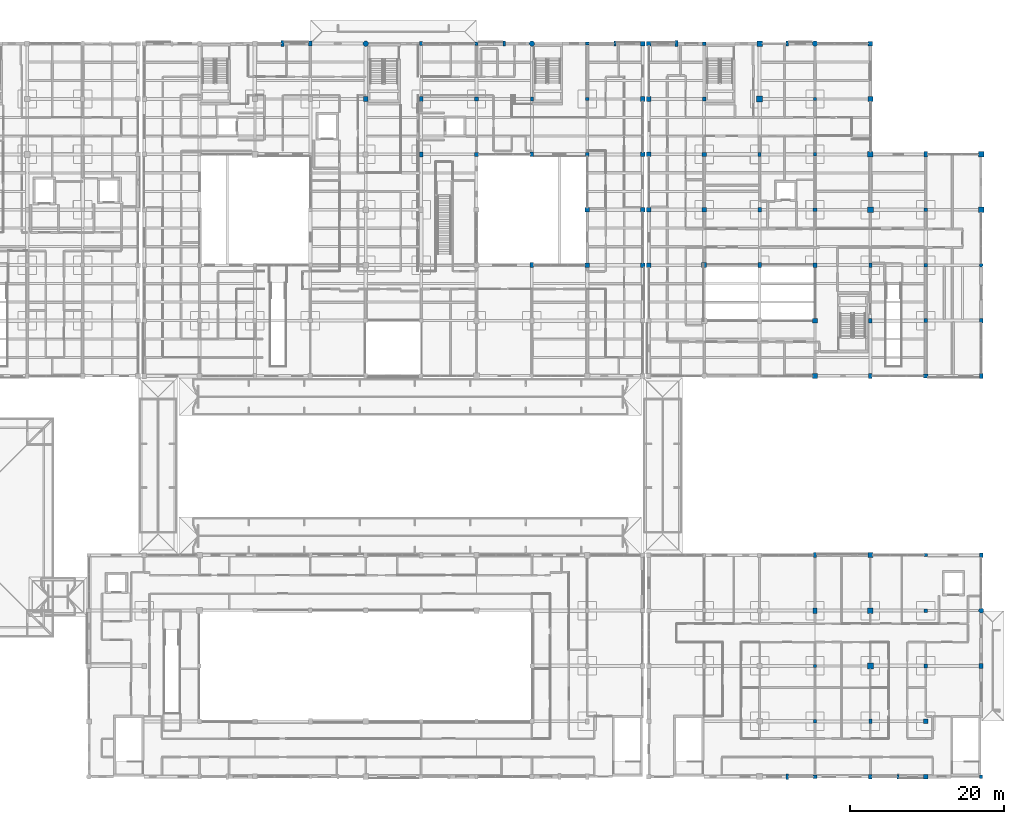
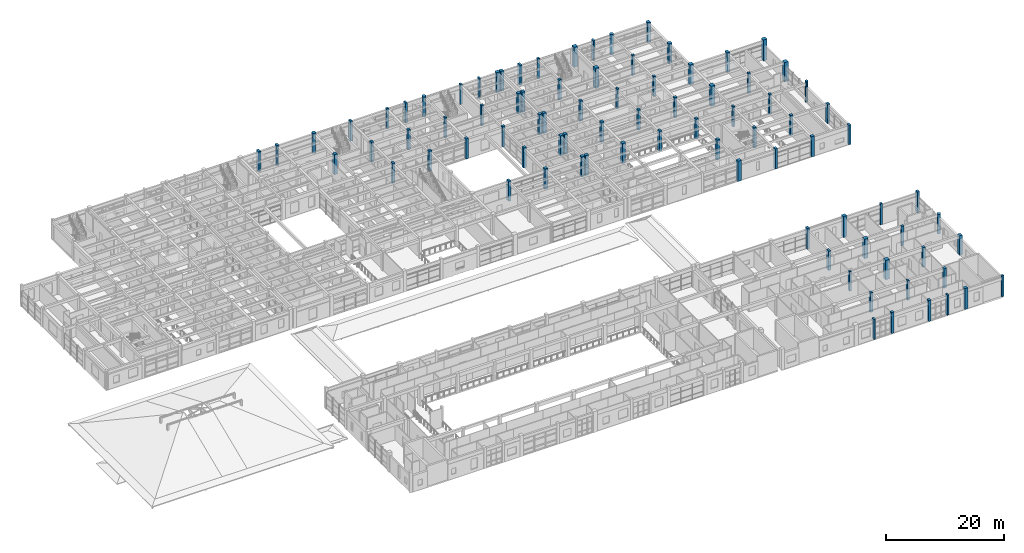
# One storey, part 4 of 110: 88 columns.
"""IFC4 building model written with IfcOpenShell, lengths in metres."""

from ifc_helpers import new_model, si_unit, direction, frame, origin, origin_2d, place, context, subcontext, project, spatial, rectangle, circle, extrude, material, material_profile, profile_set, type_object, element, save


model = new_model("IFC4")

# Units and contexts
model_context = context("Model", 3, precision=1e-05, world=origin(), true_north=direction((0.0, 1.0)))
body_context = subcontext(model_context, "Body", "Model", "MODEL_VIEW")
ifc_project = project(units=[si_unit("LENGTHUNIT", "METRE"), si_unit("AREAUNIT", "SQUARE_METRE"), si_unit("VOLUMEUNIT", "CUBIC_METRE"), si_unit("PLANEANGLEUNIT", "RADIAN"), si_unit("MASSUNIT", "GRAM", prefix="KILO")], contexts=[model_context])

# Site, building, storey
site_placement = place(None, origin())
site = spatial("IfcSite", under=ifc_project, at=site_placement, CompositionType="ELEMENT")
building_placement = place(site_placement, origin())
building = spatial("IfcBuilding", under=site, at=building_placement, Name="Steenspoor Specialist Clinic", CompositionType="ELEMENT")
storey_placement = place(building_placement, frame((0.0, 0.0, 4.800048828125)))
storey = spatial("IfcBuildingStorey", under=building, at=storey_placement, Name="L01", CompositionType="ELEMENT", Elevation=4.800048828125)

# Columns
ifc_material = material(Name="Concrete C40/50", Category="concrete")
ifc_material_profile_1 = material_profile(ifc_material, rectangle(XDim=0.39990234375, YDim=0.39990234375, at=origin_2d()), Name="RC-COL-400X400")
ifc_profile_set_1 = profile_set([ifc_material_profile_1], Name="Concrete C40/50")
column_type_1 = type_object("IfcColumnType", Name="COL-RC-400", PredefinedType="COLUMN", material=ifc_profile_set_1)
column_1_placement = place(storey_placement, frame((139.60009765625, 27.449951171875, 0.0), z_axis=(0.0, 0.0, 1.0), x_axis=(1.0, 0.0, 0.0)))
element("IfcColumn", 1, at=column_1_placement, inside=storey, type_object=column_type_1, Name="Column COL-L01-0129", PredefinedType="COLUMN", context=body_context, shape_type="SweptSolid", body=[
    extrude(rectangle(XDim=0.39990234375, YDim=0.39990234375, at=origin_2d()), origin(), (0.0, 0.0, 1.0), 4.050048828125),
])
column_2_placement = place(storey_placement, frame((154.0, 41.85009765625, 0.0), z_axis=(0.0, 0.0, 1.0), x_axis=(1.0, 0.0, 0.0)))
element("IfcColumn", 2, at=column_2_placement, inside=storey, type_object=column_type_1, Name="Column COL-L01-0153", PredefinedType="COLUMN", context=body_context, shape_type="SweptSolid", body=[
    extrude(rectangle(XDim=0.39990234375, YDim=0.39990234375, at=origin_2d()), origin(), (0.0, 0.0, 1.0), 4.35986328125),
])
for number, where, z_axis, x_axis, name in (
    (3, (110.0, 108.35009765625, 0.0), (0.0, 0.0, 1.0), (1.0, 0.0, 0.0), "Column COL-L01-0474"),
    (4, (139.60009765625, 101.14990234375, 0.0), (0.0, 0.0, 1.0), (1.0, 0.0, 0.0), "Column COL-L01-0770"),
    (5, (154.0, 86.75, 0.0), (0.0, 0.0, 1.0), (1.0, 0.0, 0.0), "Column COL-L01-0819"),
):
    element("IfcColumn", number, at=place(storey_placement, frame(where, z_axis=z_axis, x_axis=x_axis)), inside=storey, type_object=column_type_1, Name=name, PredefinedType="COLUMN", context=body_context, shape_type="SweptSolid", body=[
        extrude(rectangle(XDim=0.39990234375, YDim=0.39990234375, at=origin_2d()), origin(), (0.0, 0.0, 1.0), 4.199951171875),
    ])
column_3_placement = place(storey_placement, frame((161.199951171875, 13.050048828125, 0.0), z_axis=(0.0, 0.0, 1.0), x_axis=(1.0, 0.0, 0.0)))
element("IfcColumn", 6, at=column_3_placement, inside=storey, type_object=column_type_1, Name="Column COL-L01-0835", PredefinedType="COLUMN", context=body_context, shape_type="SweptSolid", body=[
    extrude(rectangle(XDim=0.39990234375, YDim=0.39990234375, at=origin_2d()), origin(), (0.0, 0.0, 1.0), 4.35986328125),
])
ifc_material_profile_2 = material_profile(ifc_material, rectangle(XDim=0.39990234375, YDim=0.550048828125, at=origin_2d()), Name="RC-COL-400X550")
ifc_profile_set_2 = profile_set([ifc_material_profile_2], Name="Concrete C40/50")
column_type_2 = type_object("IfcColumnType", Name="COL-RC-400X550", PredefinedType="COLUMN", material=ifc_profile_set_2)
column_4_placement = place(storey_placement, frame((146.800048828125, 20.25, 0.0), z_axis=(0.0, 0.0, 1.0), x_axis=(1.0, 0.0, 0.0)))
element("IfcColumn", 7, at=column_4_placement, inside=storey, type_object=column_type_2, Name="Column COL-L01-0137", PredefinedType="COLUMN", context=body_context, shape_type="SweptSolid", body=[
    extrude(rectangle(XDim=0.39990234375, YDim=0.550048828125, at=origin_2d()), origin(), (0.0, 0.0, 1.0), 4.050048828125),
])
for number, where, z_axis, x_axis, name in (
    (8, (88.39990234375, 108.35009765625, 0.0), (0.0, 0.0, 1.0), (1.0, 0.0, 0.0), "Column COL-L01-0375"),
    (9, (102.800048828125, 101.14990234375, 0.0), (0.0, 0.0, 1.0), (1.0, 0.0, 0.0), "Column COL-L01-0435"),
    (10, (132.39990234375, 93.949951171875, 0.0), (0.0, 0.0, 1.0), (1.0, 0.0, 0.0), "Column COL-L01-0731"),
    (11, (146.800048828125, 79.550048828125, 0.0), (0.0, 0.0, 1.0), (1.0, 0.0, 0.0), "Column COL-L01-0787"),
):
    element("IfcColumn", number, at=place(storey_placement, frame(where, z_axis=z_axis, x_axis=x_axis)), inside=storey, type_object=column_type_2, Name=name, PredefinedType="COLUMN", context=body_context, shape_type="SweptSolid", body=[
        extrude(rectangle(XDim=0.39990234375, YDim=0.550048828125, at=origin_2d()), origin(), (0.0, 0.0, 1.0), 4.199951171875),
    ])
ifc_material_profile_3 = material_profile(ifc_material, rectangle(XDim=0.449951171875, YDim=0.449951171875, at=origin_2d()), Name="RC-COL-450X450")
ifc_profile_set_3 = profile_set([ifc_material_profile_3], Name="Concrete C40/50")
column_type_3 = type_object("IfcColumnType", Name="COL-RC-450", PredefinedType="COLUMN", material=ifc_profile_set_3)
for number, where, z_axis, x_axis, name in (
    (12, (139.60009765625, 20.25, 0.0), (0.0, 0.0, 1.0), (1.0, 0.0, 0.0), "Column COL-L01-0127"),
    (13, (154.0, 34.64990234375, 0.0), (0.0, 0.0, 1.0), (1.0, 0.0, 0.0), "Column COL-L01-0151"),
):
    element("IfcColumn", number, at=place(storey_placement, frame(where, z_axis=z_axis, x_axis=x_axis)), inside=storey, type_object=column_type_3, Name=name, PredefinedType="COLUMN", context=body_context, shape_type="SweptSolid", body=[
        extrude(rectangle(XDim=0.449951171875, YDim=0.449951171875, at=origin_2d()), origin(), (0.0, 0.0, 1.0), 4.050048828125),
    ])
for number, where, z_axis, x_axis, name in (
    (14, (95.60009765625, 108.35009765625, 0.0), (0.0, 0.0, 1.0), (1.0, 0.0, 0.0), "Column COL-L01-0412"),
    (15, (110.0, 101.14990234375, 0.0), (0.0, 0.0, 1.0), (1.0, 0.0, 0.0), "Column COL-L01-0468"),
    (16, (125.199951171875, 108.35009765625, 0.0), (0.0, 0.0, 1.0), (1.0, 0.0, 0.0), "Column COL-L01-0707"),
    (17, (139.60009765625, 93.949951171875, 0.0), (0.0, 0.0, 1.0), (1.0, 0.0, 0.0), "Column COL-L01-0765"),
    (18, (154.0, 79.550048828125, 0.0), (0.0, 0.0, 1.0), (1.0, 0.0, 0.0), "Column COL-L01-0816"),
):
    element("IfcColumn", number, at=place(storey_placement, frame(where, z_axis=z_axis, x_axis=x_axis)), inside=storey, type_object=column_type_3, Name=name, PredefinedType="COLUMN", context=body_context, shape_type="SweptSolid", body=[
        extrude(rectangle(XDim=0.449951171875, YDim=0.449951171875, at=origin_2d()), origin(), (0.0, 0.0, 1.0), 4.199951171875),
    ])
ifc_material_profile_4 = material_profile(ifc_material, rectangle(XDim=0.449951171875, YDim=0.60009765625, at=origin_2d()), Name="RC-COL-450X600")
ifc_profile_set_4 = profile_set([ifc_material_profile_4], Name="Concrete C40/50")
column_type_4 = type_object("IfcColumnType", Name="COL-RC-450X600", PredefinedType="COLUMN", material=ifc_profile_set_4)
for number, where, z_axis, x_axis, name in (
    (19, (146.800048828125, 13.050048828125, 0.0), (0.0, 0.0, 1.0), (1.0, 0.0, 0.0), "Column COL-L01-0135"),
    (20, (161.199951171875, 41.85009765625, 0.0), (0.0, 0.0, 1.0), (1.0, 0.0, 0.0), "Column COL-L01-0159"),
):
    element("IfcColumn", number, at=place(storey_placement, frame(where, z_axis=z_axis, x_axis=x_axis)), inside=storey, type_object=column_type_4, Name=name, PredefinedType="COLUMN", context=body_context, shape_type="SweptSolid", body=[
        extrude(rectangle(XDim=0.449951171875, YDim=0.60009765625, at=origin_2d()), origin(), (0.0, 0.0, 1.0), 4.35986328125),
    ])
for number, where, z_axis, x_axis, name in (
    (21, (88.39990234375, 101.14990234375, 0.0), (0.0, 0.0, 1.0), (1.0, 0.0, 0.0), "Column COL-L01-0369"),
    (22, (102.800048828125, 93.949951171875, 0.0), (0.0, 0.0, 1.0), (1.0, 0.0, 0.0), "Column COL-L01-0429"),
    (23, (132.39990234375, 86.75, 0.0), (0.0, 0.0, 1.0), (1.0, 0.0, 0.0), "Column COL-L01-0726"),
    (24, (146.800048828125, 72.35009765625, 0.0), (0.0, 0.0, 1.0), (1.0, 0.0, 0.0), "Column COL-L01-0782"),
):
    element("IfcColumn", number, at=place(storey_placement, frame(where, z_axis=z_axis, x_axis=x_axis)), inside=storey, type_object=column_type_4, Name=name, PredefinedType="COLUMN", context=body_context, shape_type="SweptSolid", body=[
        extrude(rectangle(XDim=0.449951171875, YDim=0.60009765625, at=origin_2d()), origin(), (0.0, 0.0, 1.0), 4.199951171875),
    ])
column_5_placement = place(storey_placement, frame((161.199951171875, 72.35009765625, 0.0), z_axis=(0.0, 0.0, 1.0), x_axis=(1.0, 0.0, 0.0)))
element("IfcColumn", 25, at=column_5_placement, inside=storey, type_object=column_type_4, Name="Column COL-L01-0827", PredefinedType="COLUMN", context=body_context, shape_type="SweptSolid", body=[
    extrude(rectangle(XDim=0.449951171875, YDim=0.60009765625, at=origin_2d()), origin(), (0.0, 0.0, 1.0), 4.050048828125),
])
ifc_material_profile_5 = material_profile(ifc_material, rectangle(XDim=0.449951171875, YDim=0.64990234375, at=origin_2d()), Name="RC-COL-450X650")
ifc_profile_set_5 = profile_set([ifc_material_profile_5], Name="Concrete C40/50")
column_type_5 = type_object("IfcColumnType", Name="COL-RC-450X650", PredefinedType="COLUMN", material=ifc_profile_set_5)
column_6_placement = place(storey_placement, frame((139.60009765625, 41.85009765625, 0.0), z_axis=(0.0, 0.0, 1.0), x_axis=(1.0, 0.0, 0.0)))
element("IfcColumn", 26, at=column_6_placement, inside=storey, type_object=column_type_5, Name="Column COL-L01-0133", PredefinedType="COLUMN", context=body_context, shape_type="SweptSolid", body=[
    extrude(rectangle(XDim=0.449951171875, YDim=0.64990234375, at=origin_2d()), origin(), (0.0, 0.0, 1.0), 4.35986328125),
])
for number, where, z_axis, x_axis, name in (
    (27, (74.0, 108.35009765625, 0.0), (0.0, 0.0, 1.0), (1.0, 0.0, 0.0), "Column COL-L01-0301"),
    (28, (88.39990234375, 93.949951171875, 0.0), (0.0, 0.0, 1.0), (1.0, 0.0, 0.0), "Column COL-L01-0363"),
    (29, (102.800048828125, 79.550048828125, 0.0), (0.0, 0.0, 1.0), (1.0, 0.0, 0.0), "Column COL-L01-0425"),
    (30, (132.39990234375, 79.550048828125, 0.0), (0.0, 0.0, 1.0), (1.0, 0.0, 0.0), "Column COL-L01-0721"),
    (31, (146.800048828125, 65.14990234375, 0.0), (0.0, 0.0, 1.0), (1.0, 0.0, 0.0), "Column COL-L01-0778"),
):
    element("IfcColumn", number, at=place(storey_placement, frame(where, z_axis=z_axis, x_axis=x_axis)), inside=storey, type_object=column_type_5, Name=name, PredefinedType="COLUMN", context=body_context, shape_type="SweptSolid", body=[
        extrude(rectangle(XDim=0.449951171875, YDim=0.64990234375, at=origin_2d()), origin(), (0.0, 0.0, 1.0), 4.199951171875),
    ])
column_7_placement = place(storey_placement, frame((161.199951171875, 65.14990234375, 0.0), z_axis=(0.0, 0.0, 1.0), x_axis=(1.0, 0.0, 0.0)))
element("IfcColumn", 32, at=column_7_placement, inside=storey, type_object=column_type_5, Name="Column COL-L01-0825", PredefinedType="COLUMN", context=body_context, shape_type="SweptSolid", body=[
    extrude(rectangle(XDim=0.449951171875, YDim=0.64990234375, at=origin_2d()), origin(), (0.0, 0.0, 1.0), 4.050048828125),
])
ifc_material_profile_6 = material_profile(ifc_material, rectangle(XDim=0.5, YDim=0.5, at=origin_2d()), Name="RC-COL-500X500")
ifc_profile_set_6 = profile_set([ifc_material_profile_6], Name="Concrete C40/50")
column_type_6 = type_object("IfcColumnType", Name="COL-RC-500", PredefinedType="COLUMN", material=ifc_profile_set_6)
column_8_placement = place(storey_placement, frame((139.60009765625, 13.050048828125, 0.0), z_axis=(0.0, 0.0, 1.0), x_axis=(1.0, 0.0, 0.0)))
element("IfcColumn", 33, at=column_8_placement, inside=storey, type_object=column_type_6, Name="Column COL-L01-0125", PredefinedType="COLUMN", context=body_context, shape_type="SweptSolid", body=[
    extrude(rectangle(XDim=0.5, YDim=0.5, at=origin_2d()), origin(), (0.0, 0.0, 1.0), 4.35986328125),
])
column_9_placement = place(storey_placement, frame((154.0, 27.449951171875, 0.0), z_axis=(0.0, 0.0, 1.0), x_axis=(1.0, 0.0, 0.0)))
element("IfcColumn", 34, at=column_9_placement, inside=storey, type_object=column_type_6, Name="Column COL-L01-0149", PredefinedType="COLUMN", context=body_context, shape_type="SweptSolid", body=[
    extrude(rectangle(XDim=0.5, YDim=0.5, at=origin_2d()), origin(), (0.0, 0.0, 1.0), 4.050048828125),
])
for number, where, z_axis, x_axis, name in (
    (35, (95.60009765625, 101.14990234375, 0.0), (0.0, 0.0, 1.0), (1.0, 0.0, 0.0), "Column COL-L01-0406"),
    (36, (110.0, 93.949951171875, 0.0), (0.0, 0.0, 1.0), (1.0, 0.0, 0.0), "Column COL-L01-0462"),
    (37, (125.199951171875, 101.14990234375, 0.0), (0.0, 0.0, 1.0), (1.0, 0.0, 0.0), "Column COL-L01-0702"),
    (38, (139.60009765625, 86.75, 0.0), (0.0, 0.0, 1.0), (1.0, 0.0, 0.0), "Column COL-L01-0760"),
    (39, (154.0, 72.35009765625, 0.0), (0.0, 0.0, 1.0), (1.0, 0.0, 0.0), "Column COL-L01-0813"),
):
    element("IfcColumn", number, at=place(storey_placement, frame(where, z_axis=z_axis, x_axis=x_axis)), inside=storey, type_object=column_type_6, Name=name, PredefinedType="COLUMN", context=body_context, shape_type="SweptSolid", body=[
        extrude(rectangle(XDim=0.5, YDim=0.5, at=origin_2d()), origin(), (0.0, 0.0, 1.0), 4.199951171875),
    ])
ifc_material_profile_7 = material_profile(ifc_material, rectangle(XDim=0.5, YDim=0.699951171875, at=origin_2d()), Name="RC-COL-500X700")
ifc_profile_set_7 = profile_set([ifc_material_profile_7], Name="Concrete C40/50")
column_type_7 = type_object("IfcColumnType", Name="COL-RC-500X700", PredefinedType="COLUMN", material=ifc_profile_set_7)
for number, where, z_axis, x_axis, name in (
    (40, (139.60009765625, 34.64990234375, 0.0), (0.0, 0.0, 1.0), (1.0, 0.0, 0.0), "Column COL-L01-0131"),
    (41, (161.199951171875, 27.449951171875, 0.0), (0.0, 0.0, 1.0), (1.0, 0.0, 0.0), "Column COL-L01-0155"),
):
    element("IfcColumn", number, at=place(storey_placement, frame(where, z_axis=z_axis, x_axis=x_axis)), inside=storey, type_object=column_type_7, Name=name, PredefinedType="COLUMN", context=body_context, shape_type="SweptSolid", body=[
        extrude(rectangle(XDim=0.5, YDim=0.699951171875, at=origin_2d()), origin(), (0.0, 0.0, 1.0), 4.050048828125),
    ])
column_10_placement = place(storey_placement, frame((154.0, 93.949951171875, 0.0), z_axis=(0.0, 0.0, 1.0), x_axis=(1.0, 0.0, 0.0)))
element("IfcColumn", 42, at=column_10_placement, inside=storey, type_object=column_type_7, Name="Column COL-L01-0822", PredefinedType="COLUMN", context=body_context, shape_type="SweptSolid", body=[
    extrude(rectangle(XDim=0.5, YDim=0.699951171875, at=origin_2d()), origin(), (0.0, 0.0, 1.0), 4.199951171875),
])
ifc_material_profile_8 = material_profile(ifc_material, rectangle(XDim=0.550048828125, YDim=0.550048828125, at=origin_2d()), Name="RC-COL-550X550")
ifc_profile_set_8 = profile_set([ifc_material_profile_8], Name="Concrete C40/50")
column_type_8 = type_object("IfcColumnType", Name="COL-RC-550", PredefinedType="COLUMN", material=ifc_profile_set_8)
column_11_placement = place(storey_placement, frame((154.0, 20.25, 0.0), z_axis=(0.0, 0.0, 1.0), x_axis=(1.0, 0.0, 0.0)))
element("IfcColumn", 43, at=column_11_placement, inside=storey, type_object=column_type_8, Name="Column COL-L01-0147", PredefinedType="COLUMN", context=body_context, shape_type="SweptSolid", body=[
    extrude(rectangle(XDim=0.550048828125, YDim=0.550048828125, at=origin_2d()), origin(), (0.0, 0.0, 1.0), 4.050048828125),
])
for number, where, z_axis, x_axis, name in (
    (44, (95.60009765625, 93.949951171875, 0.0), (0.0, 0.0, 1.0), (1.0, 0.0, 0.0), "Column COL-L01-0400"),
    (45, (110.0, 86.75, 0.0), (0.0, 0.0, 1.0), (1.0, 0.0, 0.0), "Column COL-L01-0458"),
    (46, (125.199951171875, 93.949951171875, 0.0), (0.0, 0.0, 1.0), (1.0, 0.0, 0.0), "Column COL-L01-0697"),
    (47, (139.60009765625, 79.550048828125, 0.0), (0.0, 0.0, 1.0), (1.0, 0.0, 0.0), "Column COL-L01-0755"),
    (48, (154.0, 65.14990234375, 0.0), (0.0, 0.0, 1.0), (1.0, 0.0, 0.0), "Column COL-L01-0810"),
):
    element("IfcColumn", number, at=place(storey_placement, frame(where, z_axis=z_axis, x_axis=x_axis)), inside=storey, type_object=column_type_8, Name=name, PredefinedType="COLUMN", context=body_context, shape_type="SweptSolid", body=[
        extrude(rectangle(XDim=0.550048828125, YDim=0.550048828125, at=origin_2d()), origin(), (0.0, 0.0, 1.0), 4.199951171875),
    ])
ifc_material_profile_9 = material_profile(ifc_material, rectangle(XDim=0.60009765625, YDim=0.60009765625, at=origin_2d()), Name="RC-COL-600X600")
ifc_profile_set_9 = profile_set([ifc_material_profile_9], Name="Concrete C40/50")
column_type_9 = type_object("IfcColumnType", Name="COL-RC-600", PredefinedType="COLUMN", material=ifc_profile_set_9)
column_12_placement = place(storey_placement, frame((154.0, 13.050048828125, 0.0), z_axis=(0.0, 0.0, 1.0), x_axis=(1.0, 0.0, 0.0)))
element("IfcColumn", 49, at=column_12_placement, inside=storey, type_object=column_type_9, Name="Column COL-L01-0145", PredefinedType="COLUMN", context=body_context, shape_type="SweptSolid", body=[
    extrude(rectangle(XDim=0.60009765625, YDim=0.60009765625, at=origin_2d()), origin(), (0.0, 0.0, 1.0), 4.35986328125),
])
for number, where, z_axis, x_axis, name in (
    (50, (81.199951171875, 101.14990234375, 0.0), (0.0, 0.0, 1.0), (1.0, 0.0, 0.0), "Column COL-L01-0332"),
    (51, (110.0, 79.550048828125, 0.0), (0.0, 0.0, 1.0), (1.0, 0.0, 0.0), "Column COL-L01-0454"),
    (52, (117.199951171875, 79.550048828125, 0.0), (0.0, 0.0, 1.0), (1.0, 0.0, 0.0), "Column COL-L01-0487"),
    (53, (117.199951171875, 86.75, 0.0), (0.0, 0.0, 1.0), (1.0, 0.0, 0.0), "Column COL-L01-0491"),
    (54, (117.199951171875, 93.949951171875, 0.0), (0.0, 0.0, 1.0), (1.0, 0.0, 0.0), "Column COL-L01-0495"),
    (55, (117.199951171875, 101.14990234375, 0.0), (0.0, 0.0, 1.0), (1.0, 0.0, 0.0), "Column COL-L01-0499"),
    (56, (117.199951171875, 108.35009765625, 0.0), (0.0, 0.0, 1.0), (1.0, 0.0, 0.0), "Column COL-L01-0503"),
    (57, (118.0, 79.550048828125, 0.0), (0.0, 0.0, 1.0), (1.0, 0.0, 0.0), "Column COL-L01-0653"),
    (58, (118.0, 86.75, 0.0), (0.0, 0.0, 1.0), (1.0, 0.0, 0.0), "Column COL-L01-0658"),
    (59, (118.0, 93.949951171875, 0.0), (0.0, 0.0, 1.0), (1.0, 0.0, 0.0), "Column COL-L01-0663"),
    (60, (118.0, 101.14990234375, 0.0), (0.0, 0.0, 1.0), (1.0, 0.0, 0.0), "Column COL-L01-0668"),
    (61, (118.0, 108.35009765625, 0.0), (0.0, 0.0, 1.0), (1.0, 0.0, 0.0), "Column COL-L01-0673"),
    (62, (125.199951171875, 86.75, 0.0), (0.0, 0.0, 1.0), (1.0, 0.0, 0.0), "Column COL-L01-0692"),
    (63, (139.60009765625, 72.35009765625, 0.0), (0.0, 0.0, 1.0), (1.0, 0.0, 0.0), "Column COL-L01-0750"),
    (64, (146.800048828125, 108.35009765625, 0.0), (0.0, 0.0, 1.0), (1.0, 0.0, 0.0), "Column COL-L01-0806"),
):
    element("IfcColumn", number, at=place(storey_placement, frame(where, z_axis=z_axis, x_axis=x_axis)), inside=storey, type_object=column_type_9, Name=name, PredefinedType="COLUMN", context=body_context, shape_type="SweptSolid", body=[
        extrude(rectangle(XDim=0.60009765625, YDim=0.60009765625, at=origin_2d()), origin(), (0.0, 0.0, 1.0), 4.199951171875),
    ])
ifc_material_profile_10 = material_profile(ifc_material, rectangle(XDim=0.64990234375, YDim=0.64990234375, at=origin_2d()), Name="RC-COL-650X650")
ifc_profile_set_10 = profile_set([ifc_material_profile_10], Name="Concrete C40/50")
column_type_10 = type_object("IfcColumnType", Name="COL-RC-650", PredefinedType="COLUMN", material=ifc_profile_set_10)
column_13_placement = place(storey_placement, frame((146.800048828125, 41.85009765625, 0.0), z_axis=(0.0, 0.0, 1.0), x_axis=(1.0, 0.0, 0.0)))
element("IfcColumn", 65, at=column_13_placement, inside=storey, type_object=column_type_10, Name="Column COL-L01-0143", PredefinedType="COLUMN", context=body_context, shape_type="SweptSolid", body=[
    extrude(rectangle(XDim=0.64990234375, YDim=0.64990234375, at=origin_2d()), origin(), (0.0, 0.0, 1.0), 4.35986328125),
])
for number, where, z_axis, x_axis, name in (
    (66, (125.199951171875, 79.550048828125, 0.0), (0.0, 0.0, 1.0), (1.0, 0.0, 0.0), "Column COL-L01-0687"),
    (67, (139.60009765625, 65.14990234375, 0.0), (0.0, 0.0, 1.0), (1.0, 0.0, 0.0), "Column COL-L01-0746"),
    (68, (146.800048828125, 101.14990234375, 0.0), (0.0, 0.0, 1.0), (1.0, 0.0, 0.0), "Column COL-L01-0802"),
):
    element("IfcColumn", number, at=place(storey_placement, frame(where, z_axis=z_axis, x_axis=x_axis)), inside=storey, type_object=column_type_10, Name=name, PredefinedType="COLUMN", context=body_context, shape_type="SweptSolid", body=[
        extrude(rectangle(XDim=0.64990234375, YDim=0.64990234375, at=origin_2d()), origin(), (0.0, 0.0, 1.0), 4.199951171875),
    ])
ifc_material_profile_11 = material_profile(ifc_material, rectangle(XDim=0.699951171875, YDim=0.699951171875, at=origin_2d()), Name="RC-COL-700X700")
ifc_profile_set_11 = profile_set([ifc_material_profile_11], Name="Concrete C40/50")
column_type_11 = type_object("IfcColumnType", Name="COL-RC-700", PredefinedType="COLUMN", material=ifc_profile_set_11)
column_14_placement = place(storey_placement, frame((146.800048828125, 34.64990234375, 0.0), z_axis=(0.0, 0.0, 1.0), x_axis=(1.0, 0.0, 0.0)))
element("IfcColumn", 69, at=column_14_placement, inside=storey, type_object=column_type_11, Name="Column COL-L01-0141", PredefinedType="COLUMN", context=body_context, shape_type="SweptSolid", body=[
    extrude(rectangle(XDim=0.699951171875, YDim=0.699951171875, at=origin_2d()), origin(), (0.0, 0.0, 1.0), 4.050048828125),
])
for number, where, z_axis, x_axis, name in (
    (70, (132.39990234375, 108.35009765625, 0.0), (0.0, 0.0, 1.0), (1.0, 0.0, 0.0), "Column COL-L01-0741"),
    (71, (146.800048828125, 93.949951171875, 0.0), (0.0, 0.0, 1.0), (1.0, 0.0, 0.0), "Column COL-L01-0797"),
):
    element("IfcColumn", number, at=place(storey_placement, frame(where, z_axis=z_axis, x_axis=x_axis)), inside=storey, type_object=column_type_11, Name=name, PredefinedType="COLUMN", context=body_context, shape_type="SweptSolid", body=[
        extrude(rectangle(XDim=0.699951171875, YDim=0.699951171875, at=origin_2d()), origin(), (0.0, 0.0, 1.0), 4.199951171875),
    ])
column_15_placement = place(storey_placement, frame((161.199951171875, 93.949951171875, 0.0), z_axis=(0.0, 0.0, 1.0), x_axis=(1.0, 0.0, 0.0)))
element("IfcColumn", 72, at=column_15_placement, inside=storey, type_object=column_type_11, Name="Column COL-L01-0833", PredefinedType="COLUMN", context=body_context, shape_type="SweptSolid", body=[
    extrude(rectangle(XDim=0.699951171875, YDim=0.699951171875, at=origin_2d()), origin(), (0.0, 0.0, 1.0), 4.35986328125),
])
ifc_material_profile_12 = material_profile(ifc_material, rectangle(XDim=0.75, YDim=0.75, at=origin_2d()), Name="RC-COL-750X750")
ifc_profile_set_12 = profile_set([ifc_material_profile_12], Name="Concrete C40/50")
column_type_12 = type_object("IfcColumnType", Name="COL-RC-750", PredefinedType="COLUMN", material=ifc_profile_set_12)
column_16_placement = place(storey_placement, frame((146.800048828125, 27.449951171875, 0.0), z_axis=(0.0, 0.0, 1.0), x_axis=(1.0, 0.0, 0.0)))
element("IfcColumn", 73, at=column_16_placement, inside=storey, type_object=column_type_12, Name="Column COL-L01-0139", PredefinedType="COLUMN", context=body_context, shape_type="SweptSolid", body=[
    extrude(rectangle(XDim=0.75, YDim=0.75, at=origin_2d()), origin(), (0.0, 0.0, 1.0), 4.050048828125),
])
for number, where, z_axis, x_axis, name in (
    (74, (132.39990234375, 101.14990234375, 0.0), (0.0, 0.0, 1.0), (1.0, 0.0, 0.0), "Column COL-L01-0736"),
    (75, (146.800048828125, 86.75, 0.0), (0.0, 0.0, 1.0), (1.0, 0.0, 0.0), "Column COL-L01-0792"),
):
    element("IfcColumn", number, at=place(storey_placement, frame(where, z_axis=z_axis, x_axis=x_axis)), inside=storey, type_object=column_type_12, Name=name, PredefinedType="COLUMN", context=body_context, shape_type="SweptSolid", body=[
        extrude(rectangle(XDim=0.75, YDim=0.75, at=origin_2d()), origin(), (0.0, 0.0, 1.0), 4.199951171875),
    ])
column_17_placement = place(storey_placement, frame((161.199951171875, 86.75, 0.0), z_axis=(0.0, 0.0, 1.0), x_axis=(1.0, 0.0, 0.0)))
element("IfcColumn", 76, at=column_17_placement, inside=storey, type_object=column_type_12, Name="Column COL-L01-0831", PredefinedType="COLUMN", context=body_context, shape_type="SweptSolid", body=[
    extrude(rectangle(XDim=0.75, YDim=0.75, at=origin_2d()), origin(), (0.0, 0.0, 1.0), 4.050048828125),
])
ifc_material_profile_13 = material_profile(ifc_material, circle(Radius=0.25, at=origin_2d()), Name="RC-COL-D500")
ifc_profile_set_13 = profile_set([ifc_material_profile_13], Name="Concrete C40/50")
column_type_13 = type_object("IfcColumnType", Name="COL-RC-D500", PredefinedType="COLUMN", material=ifc_profile_set_13)
column_18_placement = place(storey_placement, frame((161.199951171875, 79.550048828125, 0.0), z_axis=(0.0, 0.0, 1.0), x_axis=(1.0, 0.0, 0.0)))
element("IfcColumn", 77, at=column_18_placement, inside=storey, type_object=column_type_13, Name="Column COL-L01-0829", PredefinedType="COLUMN", context=body_context, shape_type="SweptSolid", body=[
    extrude(circle(Radius=0.25, at=origin_2d()), origin(), (0.0, 0.0, 1.0), 4.35986328125),
])
ifc_material_profile_14 = material_profile(ifc_material, circle(Radius=0.324951171875, at=origin_2d()), Name="RC-COL-D650")
ifc_profile_set_14 = profile_set([ifc_material_profile_14], Name="Concrete C40/50")
column_type_14 = type_object("IfcColumnType", Name="COL-RC-D650", PredefinedType="COLUMN", material=ifc_profile_set_14)
column_19_placement = place(storey_placement, frame((161.199951171875, 34.64990234375, 0.0), z_axis=(0.0, 0.0, 1.0), x_axis=(1.0, 0.0, 0.0)))
element("IfcColumn", 78, at=column_19_placement, inside=storey, type_object=column_type_14, Name="Column COL-L01-0157", PredefinedType="COLUMN", context=body_context, shape_type="SweptSolid", body=[
    extrude(circle(Radius=0.324951171875, at=origin_2d()), origin(), (0.0, 0.0, 1.0), 4.050048828125),
])
ifc_material_profile_15 = material_profile(ifc_material, circle(Radius=0.35009765625, at=origin_2d()), Name="RC-COL-D700")
ifc_profile_set_15 = profile_set([ifc_material_profile_15], Name="Concrete C40/50")
column_type_15 = type_object("IfcColumnType", Name="COL-RC-D700", PredefinedType="COLUMN", material=ifc_profile_set_15)
for number, where, z_axis, x_axis, name in (
    (79, (81.199951171875, 108.35009765625, 0.0), (0.0, 0.0, 1.0), (1.0, 0.0, 0.0), "Column COL-L01-0338"),
    (80, (102.800048828125, 108.35009765625, 0.0), (0.0, 0.0, 1.0), (1.0, 0.0, 0.0), "Column COL-L01-0441"),
    (81, (139.60009765625, 108.35009765625, 0.0), (0.0, 0.0, 1.0), (1.0, 0.0, 0.0), "Column COL-L01-0774"),
):
    element("IfcColumn", number, at=place(storey_placement, frame(where, z_axis=z_axis, x_axis=x_axis)), inside=storey, type_object=column_type_15, Name=name, PredefinedType="COLUMN", context=body_context, shape_type="SweptSolid", body=[
        extrude(circle(Radius=0.35009765625, at=origin_2d()), origin(), (0.0, 0.0, 1.0), 4.199951171875),
    ])
ifc_material_profile_16 = material_profile(ifc_material, rectangle(XDim=0.300048828125, YDim=0.6201171875, at=origin_2d()), Name="RC-PIL-300X620")
ifc_profile_set_16 = profile_set([ifc_material_profile_16], Name="Concrete C40/50")
column_type_16 = type_object("IfcColumnType", Name="PIL-RC-300X620", PredefinedType="PILASTER", material=ifc_profile_set_16)
for number, where, z_axis, x_axis, name in (
    (82, (150.39990234375, 13.050048828125, 0.0), (0.0, 0.0, 1.0), (1.0, 0.0, 0.0), "Brick Pilaster PIL-L01-012"),
    (83, (113.60009765625, 108.35009765625, 0.0), (0.0, 0.0, 1.0), (1.0, 0.0, 0.0), "Brick Pilaster PIL-L01-030"),
):
    element("IfcColumn", number, at=place(storey_placement, frame(where, z_axis=z_axis, x_axis=x_axis)), inside=storey, type_object=column_type_16, Name=name, PredefinedType="PILASTER", context=body_context, shape_type="SweptSolid", body=[
        extrude(rectangle(XDim=0.300048828125, YDim=0.6201171875, at=origin_2d()), origin(), (0.0, 0.0, 1.0), 4.199951171875),
    ])
ifc_material_profile_17 = material_profile(ifc_material, rectangle(XDim=0.340087890625, YDim=0.679931640625, at=origin_2d()), Name="RC-PIL-340X680")
ifc_profile_set_17 = profile_set([ifc_material_profile_17], Name="Concrete C40/50")
column_type_17 = type_object("IfcColumnType", Name="PIL-RC-340X680", PredefinedType="PILASTER", material=ifc_profile_set_17)
for number, where, z_axis, x_axis, name in (
    (84, (136.0, 13.050048828125, 0.0), (0.0, 0.0, 1.0), (1.0, 0.0, 0.0), "Brick Pilaster PIL-L01-010"),
    (85, (99.199951171875, 108.35009765625, 0.0), (0.0, 0.0, 1.0), (1.0, 0.0, 0.0), "Brick Pilaster PIL-L01-024"),
    (86, (136.0, 108.35009765625, 0.0), (0.0, 0.0, 1.0), (1.0, 0.0, 0.0), "Brick Pilaster PIL-L01-043"),
):
    element("IfcColumn", number, at=place(storey_placement, frame(where, z_axis=z_axis, x_axis=x_axis)), inside=storey, type_object=column_type_17, Name=name, PredefinedType="PILASTER", context=body_context, shape_type="SweptSolid", body=[
        extrude(rectangle(XDim=0.340087890625, YDim=0.679931640625, at=origin_2d()), origin(), (0.0, 0.0, 1.0), 4.199951171875),
    ])
ifc_material_profile_18 = material_profile(ifc_material, rectangle(XDim=0.3798828125, YDim=0.760009765625, at=origin_2d()), Name="RC-PIL-380X760")
ifc_profile_set_18 = profile_set([ifc_material_profile_18], Name="Concrete C40/50")
column_type_18 = type_object("IfcColumnType", Name="PIL-RC-380X760", PredefinedType="PILASTER", material=ifc_profile_set_18)
for number, where, z_axis, x_axis, name in (
    (87, (70.39990234375, 108.35009765625, 0.0), (0.0, 0.0, 1.0), (1.0, 0.0, 0.0), "Brick Pilaster PIL-L01-018"),
    (88, (121.60009765625, 108.35009765625, 0.0), (0.0, 0.0, 1.0), (1.0, 0.0, 0.0), "Brick Pilaster PIL-L01-038"),
):
    element("IfcColumn", number, at=place(storey_placement, frame(where, z_axis=z_axis, x_axis=x_axis)), inside=storey, type_object=column_type_18, Name=name, PredefinedType="PILASTER", context=body_context, shape_type="SweptSolid", body=[
        extrude(rectangle(XDim=0.3798828125, YDim=0.760009765625, at=origin_2d()), origin(), (0.0, 0.0, 1.0), 4.199951171875),
    ])

save(model, "model.ifc")
